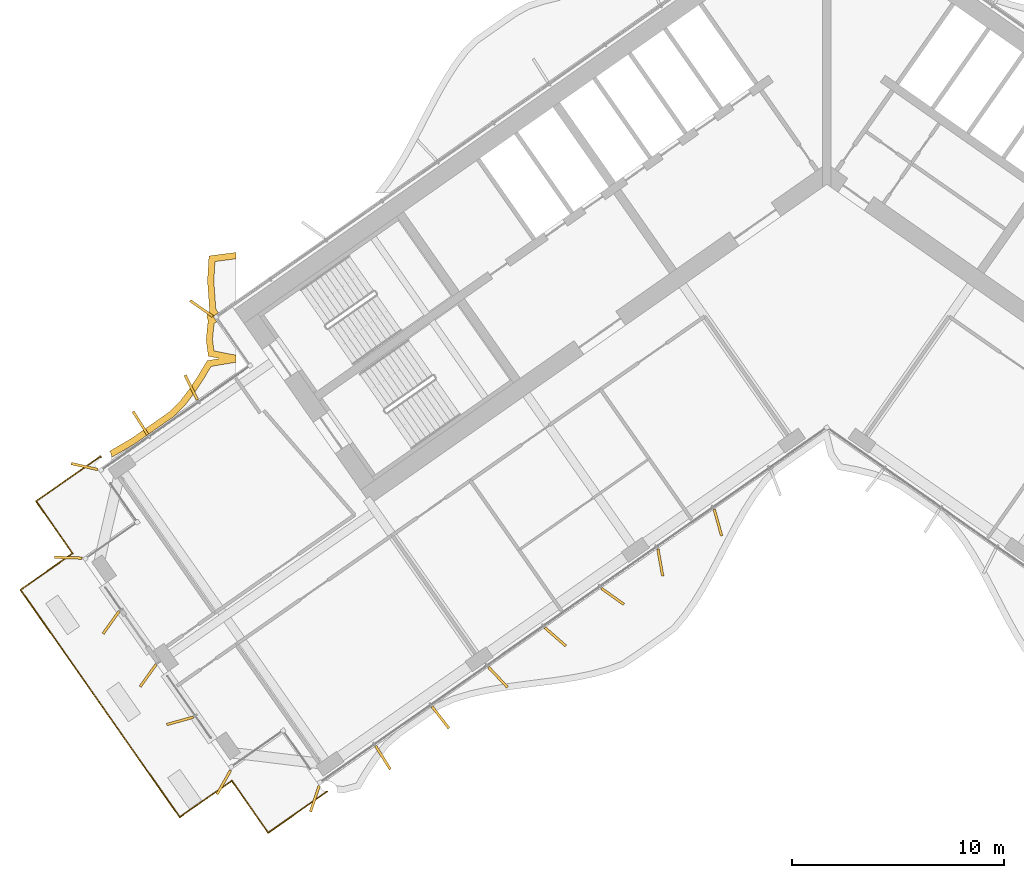
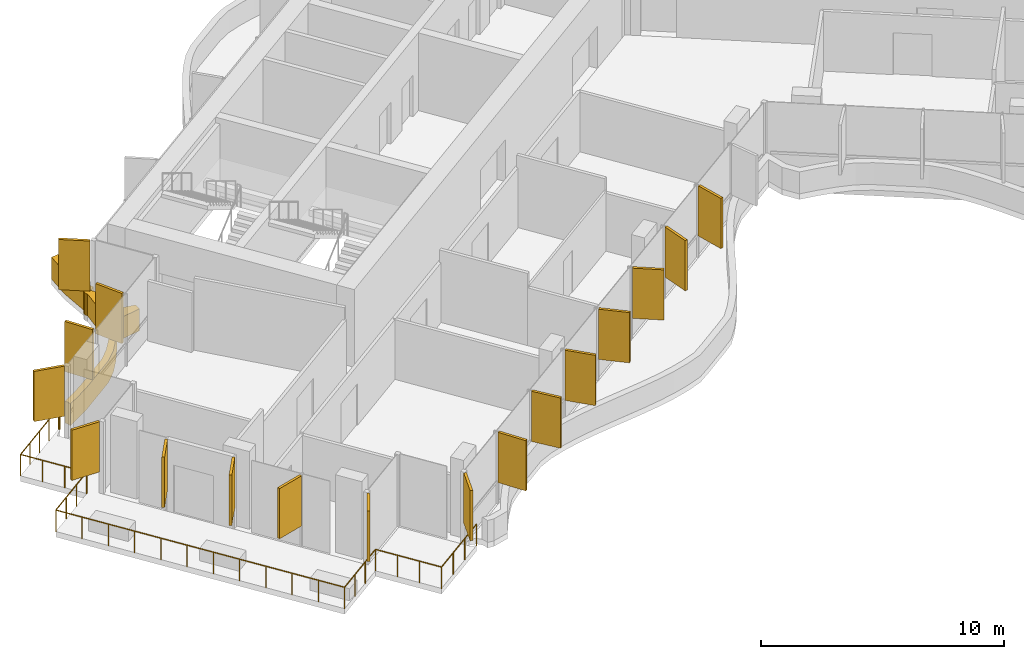
# One storey, part 17 of 22: 18 shading devices, 1 railing.
"""IFC4 building model written with IfcOpenShell, lengths in metres."""

import ifcopenshell
import ifcopenshell.guid

model = None  # the IFC model being written
_history = None  # IfcOwnerHistory: only IFC2X3 demands one
_inside = {}  # id of a spatial element -> (the spatial element, [elements in it])
_under = {}  # id of a project, library or spatial element -> (it, [spatial elements below it])
_declared = {}  # id of a project -> (the project, [libraries it declares])
_typed = {}  # id of a type object -> (the type object, [elements of that type])
_made_of = {}  # id of a material, layer set ... -> (it, [elements and type objects made of it])


def new_model(schema):
    """Start an empty IFC model of exactly this schema.

    Asked for "IFC4X3", IfcOpenShell would pick the latest addendum, in which some entities
    have other attributes; the version numbers below select the first issue.
    IFC2X3 requires an IfcOwnerHistory on every rooted entity: one is made here for all.
    """
    global model, _history
    if schema == "IFC4X3":
        model = ifcopenshell.file(schema_version=(4, 3, 0, 0))
    else:
        model = ifcopenshell.file(schema=schema)
    _inside.clear()
    _under.clear()
    _declared.clear()
    _typed.clear()
    _made_of.clear()
    _history = None
    if model.schema == "IFC2X3":
        org = make("IfcOrganization", Name="unknown")
        user = make(
            "IfcPersonAndOrganization",
            ThePerson=make("IfcPerson", FamilyName="unknown"),
            TheOrganization=org,
        )
        app = make(
            "IfcApplication",
            ApplicationDeveloper=org,
            Version="unknown",
            ApplicationFullName="unknown",
            ApplicationIdentifier="unknown",
        )
        _history = make(
            "IfcOwnerHistory",
            OwningUser=user,
            OwningApplication=app,
            ChangeAction="ADDED",
            CreationDate=0,
        )
    return model


def make(cls, **values):
    """One entity of the class cls with the attributes given. An attribute that is None is left unset."""
    return model.create_entity(
        cls, **{name: value for name, value in values.items() if value is not None}
    )


def rooted(cls, **values):
    """An entity with a GlobalId (a new one), such as an element, a storey or a relation."""
    return make(cls, GlobalId=ifcopenshell.guid.new(), OwnerHistory=_history, **values)


def si_unit(unit_type, name, prefix=None):
    """IfcSIUnit, for example si_unit("LENGTHUNIT", "METRE", prefix="MILLI")."""
    return make("IfcSIUnit", UnitType=unit_type, Prefix=prefix, Name=name)


def assignment(units):
    """IfcUnitAssignment: the units of a project."""
    return None if units is None else make("IfcUnitAssignment", Units=units)


def point(xyz):
    """IfcCartesianPoint."""
    return None if xyz is None else make("IfcCartesianPoint", Coordinates=xyz)


def direction(xyz):
    """IfcDirection."""
    return None if xyz is None else make("IfcDirection", DirectionRatios=xyz)


def frame(location, z_axis=None, x_axis=None):
    """IfcAxis2Placement3D, a coordinate frame: its origin and axes. An axis left out is left unset."""
    return make(
        "IfcAxis2Placement3D",
        Location=point(location),
        Axis=direction(z_axis),
        RefDirection=direction(x_axis),
    )


def frame_2d(location, x_axis=None):
    """IfcAxis2Placement2D, a coordinate frame in the plane: its origin and x axis."""
    return make(
        "IfcAxis2Placement2D", Location=point(location), RefDirection=direction(x_axis)
    )


def origin():
    """The frame at (0, 0, 0) with its axes left unset."""
    return frame((0.0, 0.0, 0.0))


def origin_2d():
    """The frame at (0, 0) in the plane with its x axis left unset."""
    return frame_2d((0.0, 0.0))


def place(relative_to, where):
    """IfcLocalPlacement: puts the frame where relative to a parent placement (None: the world)."""
    return make(
        "IfcLocalPlacement", PlacementRelTo=relative_to, RelativePlacement=where
    )


def context(
    kind, dimensions, precision=None, world=None, true_north=None, identifier=None
):
    """IfcGeometricRepresentationContext, for example the 3D "Model" context."""
    return make(
        "IfcGeometricRepresentationContext",
        ContextIdentifier=identifier,
        ContextType=kind,
        CoordinateSpaceDimension=dimensions,
        Precision=precision,
        WorldCoordinateSystem=world,
        TrueNorth=true_north,
    )


def subcontext(parent, identifier, kind, view, scale=None):
    """IfcGeometricRepresentationSubContext, for example "Body" below "Model"."""
    return make(
        "IfcGeometricRepresentationSubContext",
        ContextIdentifier=identifier,
        ContextType=kind,
        ParentContext=parent,
        TargetScale=scale,
        TargetView=view,
    )


def project(units=None, contexts=None):
    """IfcProject with its units and contexts."""
    return rooted(
        "IfcProject",
        Name="project",
        RepresentationContexts=contexts,
        UnitsInContext=assignment(units),
    )


def spatial(cls, under=None, at=None, **own):
    """A site, building, storey or space (cls), placed at a placement, below another one or the project."""
    s = rooted(cls, ObjectPlacement=at, **own)
    if under is not None:
        _under.setdefault(under.id(), (under, []))[1].append(s)
    return s


def polyline(points):
    """IfcPolyline through the points."""
    return make("IfcPolyline", Points=[point(p) for p in points])


def profile(cls, at=None, kind="AREA", **sizes):
    """A parametric profile (cls). Its sizes go by their IFC names, for example OverallWidth=200.0."""
    return make(cls, ProfileType=kind, Position=at, **sizes)


def rectangle(**sizes):
    """IfcRectangleProfileDef."""
    return profile("IfcRectangleProfileDef", **sizes)


def circle(**sizes):
    """IfcCircleProfileDef."""
    return profile("IfcCircleProfileDef", **sizes)


def outline(outer, holes=None, kind="AREA"):
    """IfcArbitraryClosedProfileDef: a profile drawn as a closed curve; with holes, ...WithVoids."""
    if holes is None:
        return make("IfcArbitraryClosedProfileDef", ProfileType=kind, OuterCurve=outer)
    return make(
        "IfcArbitraryProfileDefWithVoids",
        ProfileType=kind,
        OuterCurve=outer,
        InnerCurves=holes,
    )


def extrude(swept, where, along, depth):
    """IfcExtrudedAreaSolid: the profile swept, set in the frame where, extruded along a direction by depth."""
    return make(
        "IfcExtrudedAreaSolid",
        SweptArea=swept,
        Position=where,
        ExtrudedDirection=direction(along),
        Depth=depth,
    )


def shape(context_of_items, identifier, shape_type, items):
    """IfcShapeRepresentation: the items that make up one representation, for example the "Body"."""
    return make(
        "IfcShapeRepresentation",
        ContextOfItems=context_of_items,
        RepresentationIdentifier=identifier,
        RepresentationType=shape_type,
        Items=items,
    )


def material(Name=None, Category=None):
    """IfcMaterial."""
    return make("IfcMaterial", Name=Name, Category=Category)


def layer(
    of_material, thickness, ventilated=None, Name=None, Category=None, Priority=None
):
    """IfcMaterialLayer: one layer of a wall or slab, of a material (None: an air gap)."""
    return make(
        "IfcMaterialLayer",
        Material=of_material,
        LayerThickness=thickness,
        IsVentilated=ventilated,
        Name=Name,
        Category=Category,
        Priority=Priority,
    )


def layer_set(layers, Name=None):
    """IfcMaterialLayerSet."""
    return make("IfcMaterialLayerSet", MaterialLayers=layers, LayerSetName=Name)


def made_of(thing, what):
    """Note that an element or type object is made of a material, layer set ...; save() writes the relation."""
    if what is not None:
        _made_of.setdefault(what.id(), (what, []))[1].append(thing)
    return thing


def type_object(cls, material=None, **own):
    """A type object (cls), such as IfcWallType, which elements share."""
    return made_of(rooted(cls, **own), material)


def element(
    cls,
    number,
    at=None,
    inside=None,
    cuts=None,
    type_object=None,
    material=None,
    context=None,
    identifier="Body",
    shape_type=None,
    held_by="IfcProductDefinitionShape",
    body=None,
    shapes=None,
    **own,
):
    """One element of the class cls, such as IfcWall. Its Tag is "e" and its number.

    at: its placement. inside: the storey or other place that contains it. cuts: it is an
    opening in that element (IfcRelVoidsElement). A single representation is given by context,
    identifier, shape_type and body (its items); several are given by shapes. held_by: the class
    of the entity that holds the representations. save() writes the other relations.
    """
    e = rooted(cls, Tag="e%d" % number, ObjectPlacement=at, **own)
    if body is not None:
        shapes = [shape(context, identifier, shape_type, body)]
    if shapes is not None:
        e.Representation = make(held_by, Representations=shapes)
    if inside is not None:
        _inside.setdefault(inside.id(), (inside, []))[1].append(e)
    if cuts is not None:
        rooted(
            "IfcRelVoidsElement", RelatingBuildingElement=cuts, RelatedOpeningElement=e
        )
    if type_object is not None:
        _typed.setdefault(type_object.id(), (type_object, []))[1].append(e)
    return made_of(e, material)


def aggregate(whole, parts):
    """IfcRelAggregates: a whole, such as a stair, and the parts it consists of."""
    return rooted("IfcRelAggregates", RelatingObject=whole, RelatedObjects=parts)


def save(model, path):
    """Write the relations noted so far, then the file.

    IfcRelAggregates (storeys below a building ...), IfcRelContainedInSpatialStructure (elements
    in a storey), IfcRelDefinesByType, IfcRelAssociatesMaterial and IfcRelDeclares: one each for
    every whole, place, type object, material and project.
    """
    for whole, parts in _under.values():
        aggregate(whole, parts)
    for where, things in _inside.values():
        rooted(
            "IfcRelContainedInSpatialStructure",
            RelatedElements=things,
            RelatingStructure=where,
        )
    for kind, things in _typed.values():
        rooted("IfcRelDefinesByType", RelatedObjects=things, RelatingType=kind)
    for what, things in _made_of.values():
        rooted("IfcRelAssociatesMaterial", RelatedObjects=things, RelatingMaterial=what)
    for by, libraries in _declared.values():
        rooted("IfcRelDeclares", RelatingContext=by, RelatedDefinitions=libraries)
    model.write(path)


model = new_model("IFC4")

# Units and contexts
model_context = context("Model", 3, precision=1e-05, world=origin(), true_north=direction((0.0, 1.0)))
body_context = subcontext(model_context, "Body", "Model", "MODEL_VIEW")
ifc_project = project(units=[si_unit("LENGTHUNIT", "METRE"), si_unit("AREAUNIT", "SQUARE_METRE"), si_unit("VOLUMEUNIT", "CUBIC_METRE"), si_unit("PLANEANGLEUNIT", "RADIAN"), si_unit("MASSUNIT", "GRAM", prefix="KILO")], contexts=[model_context])

# Site, building, storey
site_placement = place(None, origin())
site = spatial("IfcSite", under=ifc_project, at=site_placement, CompositionType="ELEMENT")
building_placement = place(site_placement, origin())
building = spatial("IfcBuilding", under=site, at=building_placement, Name="Tel Ilan Convention Tower", CompositionType="ELEMENT")
storey_placement = place(building_placement, frame((0.0, 0.0, 202.199951171875)))
storey = spatial("IfcBuildingStorey", under=building, at=storey_placement, Name="L47", CompositionType="ELEMENT", Elevation=202.199951171875)

# Shading devices
ifc_material_1 = material(Name="Aluminium, bronze anodised", Category="aluminium")
ifc_layer_1 = layer(ifc_material_1, 0.1201171875)
ifc_layer_set_1 = layer_set([ifc_layer_1], Name="FIN BRONZE 1300x120")
shading_device_type_1 = type_object("IfcShadingDeviceType", Name="FIN BRONZE 1300x120", PredefinedType="USERDEFINED", material=ifc_layer_set_1)
for number, where, z_axis, x_axis, name in (
    (1, (-29.515625, -7.081787109375, 1.10009765625), (0.0, 0.0, 1.0), (-0.819152044289, 0.573576436351, 0.0), "FIN"),
    (2, (-29.99755859375, -10.809326171875, 1.10009765625), (0.0, 0.0, 1.0), (-0.448799180206, 0.893632640321, 0.0), "FIN"),
    (3, (-32.397216796875, -12.4892578125, 1.10009765625), (0.0, 0.0, 1.0), (-0.533204432798, 0.845986425922, 0.0), "FIN"),
    (4, (-35.03369140625, -14.541259765625, 1.10009765625), (0.0, 0.0, 1.0), (-0.975235208752, 0.221170268371, 0.0), "FIN"),
    (5, (-35.7919921875, -18.84326171875, 1.10009765625), (0.0, 0.0, 1.0), (-0.999576950082, 0.029084718749, 0.0), "FIN"),
    (6, (-33.77880859375, -21.902099609375, 1.10009765625), (0.0, 0.0, 1.0), (-0.581492071294, -0.813552070258, 0.0), "FIN"),
    (7, (-32.029296875, -24.400390625, 1.10009765625), (0.0, 0.0, 1.0), (-0.581492071294, -0.813552070258, 0.0), "FIN"),
    (8, (-30.528076171875, -26.54443359375, 1.10009765625), (0.0, 0.0, 1.0), (-0.963370878614, -0.268172612768, 0.0), "FIN"),
    (9, (-28.45947265625, -29.4423828125, 1.10009765625), (0.0, 0.0, 1.0), (-0.491579408049, -0.870832754082, 0.0), "FIN"),
    (10, (-24.164306640625, -30.218994140625, 1.10009765625), (0.0, 0.0, 1.0), (-0.314544756146, -0.949242643575, 0.0), "FIN"),
    (11, (-20.948486328125, -28.281982421875, 1.10009765625), (0.0, 0.0, 1.0), (0.533204432798, -0.845986425922, 0.0), "FIN"),
    (12, (-18.23486328125, -26.3818359375, 1.10009765625), (0.0, 0.0, 1.0), (0.612600545196, -0.790392669516, 0.0), "FIN"),
    (13, (-15.521484375, -24.4814453125, 1.10009765625), (0.0, 0.0, 1.0), (0.686241637865, -0.727373641577, 0.0), "FIN"),
    (14, (-12.8125, -22.576904296875, 1.10009765625), (0.0, 0.0, 1.0), (0.753435896329, -0.657521368568, 0.0), "FIN"),
    (15, (-10.108154296875, -20.66796875, 1.10009765625), (0.0, 0.0, 1.0), (0.813552070258, -0.581492071294, 0.0), "FIN"),
    (16, (-7.85888671875, -19.070556640625, 1.10009765625), (0.0, 0.0, 1.0), (0.173648177667, -0.984807753012, 0.0), "FIN"),
    (17, (-5.138671875, -17.188232421875, 1.10009765625), (0.0, 0.0, 1.0), (0.268172612768, -0.963370878614, 0.0), "FIN"),
):
    element("IfcShadingDevice", number, at=place(storey_placement, frame(where, z_axis=z_axis, x_axis=x_axis)), inside=storey, type_object=shading_device_type_1, Name=name, ObjectType="FIN", PredefinedType="USERDEFINED", context=body_context, shape_type="SweptSolid", body=[
        extrude(rectangle(XDim=1.300048828125, YDim=0.1201171875, at=origin_2d()), origin(), (0.0, 0.0, 1.0), 2.52001953125),
    ])
ifc_material_2 = material(Name="Aluminium, bronze anodised", Category="aluminium")
ifc_layer_2 = layer(ifc_material_2, 0.300048828125)
ifc_layer_set_2 = layer_set([ifc_layer_2], Name="LOUVRE BAND 300x1100")
shading_device_type_2 = type_object("IfcShadingDeviceType", Name="LOUVRE BAND 300x1100", PredefinedType="USERDEFINED", material=ifc_layer_set_2)
shading_device_placement = place(storey_placement, origin())
element("IfcShadingDevice", 18, at=shading_device_placement, inside=storey, type_object=shading_device_type_2, Name="LOUVRE BAND 37.03", ObjectType="LOUVRE", PredefinedType="USERDEFINED", context=body_context, shape_type="SweptSolid", body=[
    extrude(outline(polyline([(-33.755859375, -14.1044921875), (-33.276611328125, -13.831787109375), (-32.645751953125, -13.458984375), (-30.854736328125, -12.20458984375), (-30.303466796875, -11.66259765625), (-29.828369140625, -11.038818359375), (-29.395263671875, -10.379638671875), (-29.0615234375, -9.81689453125), (-27.874755859375, -9.615966796875), (-27.874755859375, -9.287353515625), (-28.923828125, -9.080322265625), (-28.992431640625, -8.5439453125), (-28.91943359375, -7.797607421875), (-28.787353515625, -7.705322265625), (-28.958740234375, -7.458984375), (-28.713134765625, -7.286865234375), (-28.83740234375, -7.109375), (-28.93115234375, -5.783447265625), (-28.876953125, -4.86572265625), (-27.874755859375, -4.735107421875), (-27.874755859375, -4.4326171875), (-29.161865234375, -4.60107421875), (-29.231689453125, -5.78515625), (-29.127685546875, -7.218017578125), (-29.1708984375, -7.246826171875), (-29.236083984375, -7.34423828125), (-29.2587890625, -7.458984375), (-29.236083984375, -7.57373046875), (-29.199951171875, -7.6279296875), (-29.29443359375, -8.548583984375), (-29.19384765625, -9.332763671875), (-28.642333984375, -9.441650390625), (-29.24853515625, -9.544189453125), (-29.649658203125, -10.220703125), (-30.0732421875, -10.865234375), (-30.529296875, -11.463623046875), (-31.047119140625, -11.973388671875), (-32.808349609375, -13.20654296875), (-33.848876953125, -13.812255859375), (-33.821044921875, -13.856689453125), (-33.781494140625, -13.946533203125), (-33.76025390625, -14.042236328125), (-33.755859375, -14.1044921875)])), origin(), (0.0, 0.0, 1.0), 1.10009765625),
])

# Railing
ifc_material_3 = material(Name="Stainless steel S316", Category="steel")
railing_type = type_object("IfcRailingType", Name="TERRACE GUARD 1100", PredefinedType="GUARDRAIL", material=ifc_material_3)
railing_placement = place(storey_placement, frame((-23.584228515625, -29.88134765625, 0.0)))
element("IfcRailing", 19, at=railing_placement, inside=storey, type_object=railing_type, Name="Terrace guard 37.01", PredefinedType="GUARDRAIL", context=body_context, shape_type="SweptSolid", body=[
    extrude(circle(Radius=0.02490234375, at=origin_2d()), frame((0.0, 0.0, 1.0751953125), z_axis=(-0.819164279974, -0.573558961585, 0.0), x_axis=(0.573558961585, -0.819164279974, 0.0)), (0.0, 0.0, 1.0), 3.3916015625),
    extrude(circle(Radius=0.02490234375, at=origin_2d()), frame((-2.7783203125, -1.9453125, 1.0751953125), z_axis=(-0.573598887793, 0.819136323161, 0.0), x_axis=(-0.819136323161, -0.573598887793, 0.0)), (0.0, 0.0, 1.0), 2.999755859375),
    extrude(circle(Radius=0.02490234375, at=origin_2d()), frame((-4.4990234375, 0.511962890625, 1.0751953125), z_axis=(-0.819163097304, -0.573560650686, 0.0), x_axis=(0.573560650686, -0.819163097304, 0.0)), (0.0, 0.0, 1.0), 3.0),
    extrude(circle(Radius=0.02490234375, at=origin_2d()), frame((-6.95654296875, -1.208740234375, 1.0751953125), z_axis=(-0.573577410084, 0.819151362473, 0.0), x_axis=(-0.819151362473, -0.573577410084, 0.0)), (0.0, 0.0, 1.0), 13.10009765625),
    extrude(circle(Radius=0.02490234375, at=origin_2d()), frame((-14.470458984375, 9.522216796875, 1.0751953125), z_axis=(0.819163097304, 0.573560650686, 0.0), x_axis=(-0.573560650686, 0.819163097304, 0.0)), (0.0, 0.0, 1.0), 3.0),
    extrude(circle(Radius=0.02490234375, at=origin_2d()), frame((-12.012939453125, 11.242919921875, 1.0751953125), z_axis=(-0.573560650686, 0.819163097304, 0.0), x_axis=(-0.819163097304, -0.573560650686, 0.0)), (0.0, 0.0, 1.0), 3.0),
    extrude(circle(Radius=0.02490234375, at=origin_2d()), frame((-13.733642578125, 13.700439453125, 1.0751953125), z_axis=(0.819132709951, 0.573604047656, 0.0), x_axis=(-0.573604047656, 0.819132709951, 0.0)), (0.0, 0.0, 1.0), 3.699951171875),
    extrude(circle(Radius=0.02490234375, at=origin_2d()), frame((-10.702880859375, 15.82275390625, 1.0751953125), z_axis=(0.574695939851, -0.818367018348, 0.0), x_axis=(0.818367018348, 0.574695939851, 0.0)), (0.0, 0.0, 1.0), 0.05322265625),
    extrude(circle(Radius=0.02490234375, at=origin_2d()), origin(), (0.0, 0.0, 1.0), 1.050048828125),
    extrude(circle(Radius=0.02490234375, at=origin_2d()), frame((-0.926025390625, -0.6484375, 0.0)), (0.0, 0.0, 1.0), 1.050048828125),
    extrude(circle(Radius=0.02490234375, at=origin_2d()), frame((-1.852294921875, -1.296875, 0.0)), (0.0, 0.0, 1.0), 1.050048828125),
    extrude(circle(Radius=0.02490234375, at=origin_2d()), frame((-2.7783203125, -1.9453125, 0.0)), (0.0, 0.0, 1.0), 1.050048828125),
    extrude(circle(Radius=0.02490234375, at=origin_2d()), frame((-3.351806640625, -1.126220703125, 0.0)), (0.0, 0.0, 1.0), 1.050048828125),
    extrude(circle(Radius=0.02490234375, at=origin_2d()), frame((-3.925537109375, -0.30712890625, 0.0)), (0.0, 0.0, 1.0), 1.050048828125),
    extrude(circle(Radius=0.02490234375, at=origin_2d()), frame((-4.4990234375, 0.511962890625, 0.0)), (0.0, 0.0, 1.0), 1.050048828125),
    extrude(circle(Radius=0.02490234375, at=origin_2d()), frame((-5.318115234375, -0.0615234375, 0.0)), (0.0, 0.0, 1.0), 1.050048828125),
    extrude(circle(Radius=0.02490234375, at=origin_2d()), frame((-6.137451171875, -0.63525390625, 0.0)), (0.0, 0.0, 1.0), 1.050048828125),
    extrude(circle(Radius=0.02490234375, at=origin_2d()), frame((-6.95654296875, -1.208740234375, 0.0)), (0.0, 0.0, 1.0), 1.050048828125),
    extrude(circle(Radius=0.02490234375, at=origin_2d()), frame((-7.6396484375, -0.233154296875, 0.0)), (0.0, 0.0, 1.0), 1.050048828125),
    extrude(circle(Radius=0.02490234375, at=origin_2d()), frame((-8.32275390625, 0.742431640625, 0.0)), (0.0, 0.0, 1.0), 1.050048828125),
    extrude(circle(Radius=0.02490234375, at=origin_2d()), frame((-9.005859375, 1.7177734375, 0.0)), (0.0, 0.0, 1.0), 1.050048828125),
    extrude(circle(Radius=0.02490234375, at=origin_2d()), frame((-9.68896484375, 2.693359375, 0.0)), (0.0, 0.0, 1.0), 1.050048828125),
    extrude(circle(Radius=0.02490234375, at=origin_2d()), frame((-10.3720703125, 3.6689453125, 0.0)), (0.0, 0.0, 1.0), 1.050048828125),
    extrude(circle(Radius=0.02490234375, at=origin_2d()), frame((-11.054931640625, 4.64453125, 0.0)), (0.0, 0.0, 1.0), 1.050048828125),
    extrude(circle(Radius=0.02490234375, at=origin_2d()), frame((-11.738037109375, 5.6201171875, 0.0)), (0.0, 0.0, 1.0), 1.050048828125),
    extrude(circle(Radius=0.02490234375, at=origin_2d()), frame((-12.421142578125, 6.595703125, 0.0)), (0.0, 0.0, 1.0), 1.050048828125),
    extrude(circle(Radius=0.02490234375, at=origin_2d()), frame((-13.104248046875, 7.571044921875, 0.0)), (0.0, 0.0, 1.0), 1.050048828125),
    extrude(circle(Radius=0.02490234375, at=origin_2d()), frame((-13.787353515625, 8.546630859375, 0.0)), (0.0, 0.0, 1.0), 1.050048828125),
    extrude(circle(Radius=0.02490234375, at=origin_2d()), frame((-14.470458984375, 9.522216796875, 0.0)), (0.0, 0.0, 1.0), 1.050048828125),
    extrude(circle(Radius=0.02490234375, at=origin_2d()), frame((-13.6513671875, 10.095703125, 0.0)), (0.0, 0.0, 1.0), 1.050048828125),
    extrude(circle(Radius=0.02490234375, at=origin_2d()), frame((-12.83203125, 10.66943359375, 0.0)), (0.0, 0.0, 1.0), 1.050048828125),
    extrude(circle(Radius=0.02490234375, at=origin_2d()), frame((-12.012939453125, 11.242919921875, 0.0)), (0.0, 0.0, 1.0), 1.050048828125),
    extrude(circle(Radius=0.02490234375, at=origin_2d()), frame((-12.58642578125, 12.06201171875, 0.0)), (0.0, 0.0, 1.0), 1.050048828125),
    extrude(circle(Radius=0.02490234375, at=origin_2d()), frame((-13.16015625, 12.88134765625, 0.0)), (0.0, 0.0, 1.0), 1.050048828125),
    extrude(circle(Radius=0.02490234375, at=origin_2d()), frame((-13.733642578125, 13.700439453125, 0.0)), (0.0, 0.0, 1.0), 1.050048828125),
    extrude(circle(Radius=0.02490234375, at=origin_2d()), frame((-12.97607421875, 14.23095703125, 0.0)), (0.0, 0.0, 1.0), 1.050048828125),
    extrude(circle(Radius=0.02490234375, at=origin_2d()), frame((-12.21826171875, 14.76171875, 0.0)), (0.0, 0.0, 1.0), 1.050048828125),
    extrude(circle(Radius=0.02490234375, at=origin_2d()), frame((-11.46044921875, 15.292236328125, 0.0)), (0.0, 0.0, 1.0), 1.050048828125),
    extrude(circle(Radius=0.02490234375, at=origin_2d()), frame((-10.702880859375, 15.82275390625, 0.0)), (0.0, 0.0, 1.0), 1.050048828125),
    extrude(circle(Radius=0.02490234375, at=origin_2d()), frame((-10.67236328125, 15.779296875, 0.0)), (0.0, 0.0, 1.0), 1.050048828125),
])

save(model, "model.ifc")
